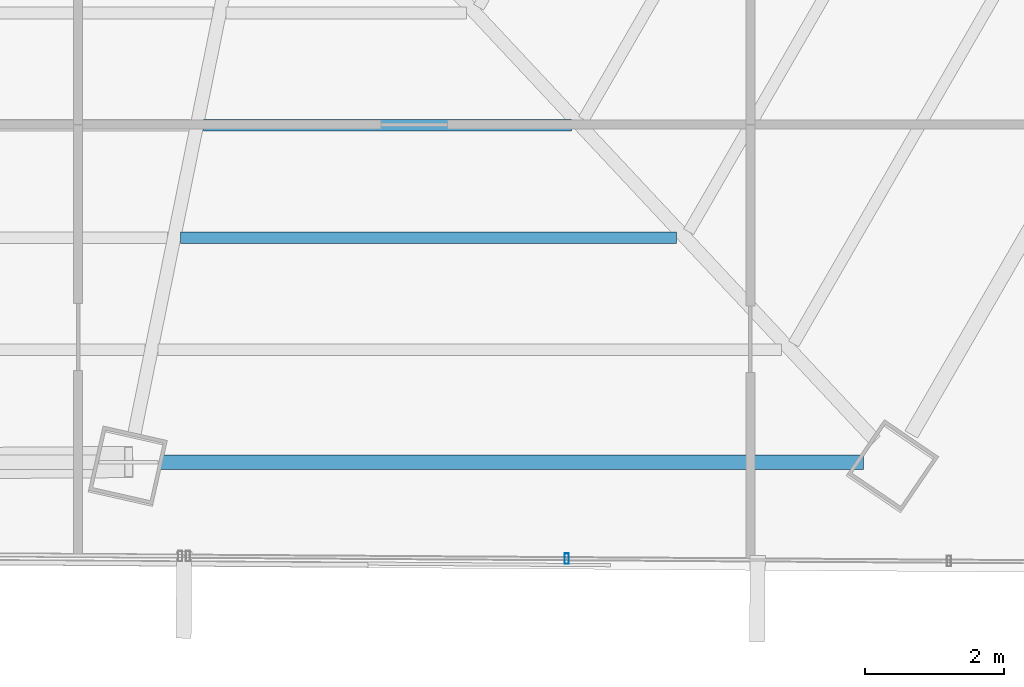
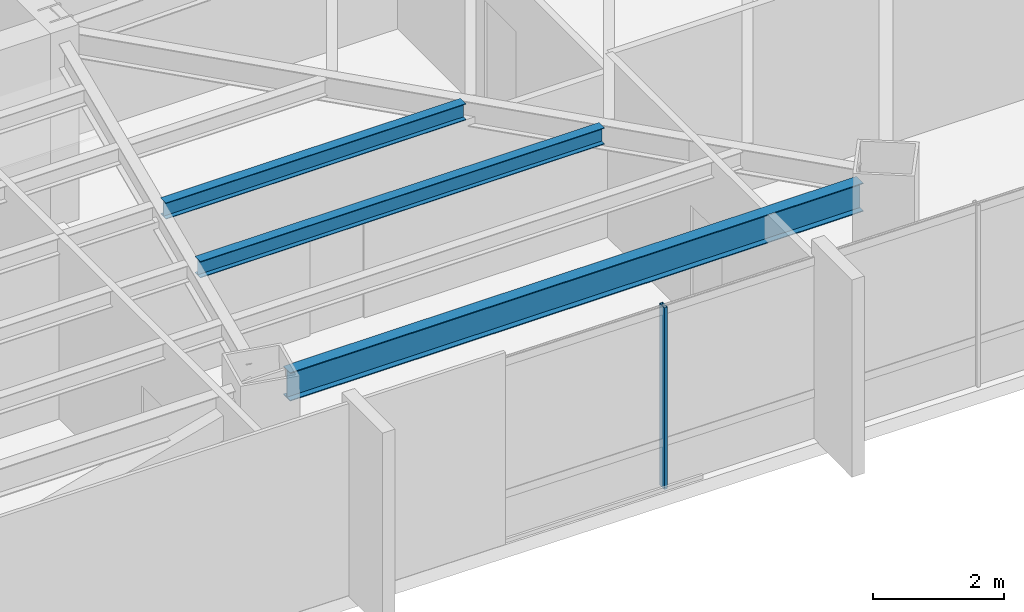
# One storey, part 17 of 41: 3 beams, 1 member, 1 element without a shape of its own.
"""IFC4 building model written with IfcOpenShell, lengths in metres."""

from ifc_helpers import new_model, si_unit, direction, frame, origin, origin_2d, place, context, subcontext, project, spatial, hollow_rectangle, i_section, extrude, source, transform, mapped, material, material_profile, profile_set, type_object, type_shapes, element, aggregate, save


model = new_model("IFC4")

# Units and contexts
model_context = context("Model", 3, precision=1e-05, world=origin(), true_north=direction((0.0, 1.0)))
body_context = subcontext(model_context, "Body", "Model", "MODEL_VIEW")
ifc_project = project(units=[si_unit("LENGTHUNIT", "METRE"), si_unit("AREAUNIT", "SQUARE_METRE"), si_unit("VOLUMEUNIT", "CUBIC_METRE"), si_unit("PLANEANGLEUNIT", "RADIAN"), si_unit("MASSUNIT", "GRAM", prefix="KILO")], contexts=[model_context])

# Site, building, storey
site_placement = place(None, origin())
site = spatial("IfcSite", under=ifc_project, at=site_placement, CompositionType="ELEMENT")
building_placement = place(site_placement, origin())
building = spatial("IfcBuilding", under=site, at=building_placement, Name="Caelisora Broadcast Tower", CompositionType="ELEMENT")
storey_placement = place(building_placement, frame((0.0, 0.0, 169.449951171875)))
storey = spatial("IfcBuildingStorey", under=building, at=storey_placement, Name="L44", CompositionType="ELEMENT", Elevation=169.449951171875)

# Beams
ifc_material_1 = material(Name="Steel Grade 350 (AS/NZS 3679.1)", Category="steel")
ifc_material_profile_1 = material_profile(ifc_material_1, i_section(OverallWidth=0.208984375, OverallDepth=0.532958984375, WebThickness=0.01025390625, FlangeThickness=0.015625, at=origin_2d()), Name="Steel Grade 350 (AS/NZS 3679.1)")
ifc_profile_set_1 = profile_set([ifc_material_profile_1], Name="Steel Grade 350 (AS/NZS 3679.1)")
beam_type_1 = type_object("IfcBeamType", Name="PG05", PredefinedType="BEAM", material=ifc_profile_set_1)
shared_shape_1 = source(origin(), body_context, "Body", "SweptSolid", [
    extrude(i_section(OverallWidth=0.208984375, OverallDepth=0.532958984375, WebThickness=0.01025390625, FlangeThickness=0.015625, at=origin_2d()), origin(), (0.0, 0.0, 1.0), 10.141357421875),
])
type_shapes(beam_type_1, [shared_shape_1])
beam_1_placement = place(storey_placement, frame((43.99072265625, 7.681884765625, 3.133544921875), z_axis=(1.0, 0.0, 0.0), x_axis=(0.0, 1.0, 0.0)))
element("IfcBeam", 1, at=beam_1_placement, inside=storey, type_object=beam_type_1, Name="L44 beam PG05", PredefinedType="BEAM", context=body_context, shape_type="MappedRepresentation", body=[
    mapped(shared_shape_1, transform((0.0, 0.0, 0.0), scale=1.0)),
])
ifc_material_profile_2 = material_profile(ifc_material_1, i_section(OverallWidth=0.166015625, OverallDepth=0.30712890625, WebThickness=0.006591796875, FlangeThickness=0.01171875, at=origin_2d()), Name="Steel Grade 350 (AS/NZS 3679.1)")
ifc_profile_set_2 = profile_set([ifc_material_profile_2], Name="Steel Grade 350 (AS/NZS 3679.1)")
beam_type_2 = type_object("IfcBeamType", Name="SB03", PredefinedType="JOIST", material=ifc_profile_set_2)
shared_shape_2 = source(origin(), body_context, "Body", "SweptSolid", [
    extrude(i_section(OverallWidth=0.166015625, OverallDepth=0.30712890625, WebThickness=0.006591796875, FlangeThickness=0.01171875, at=origin_2d()), origin(), (0.0, 0.0, 1.0), 7.152099609375),
])
beam_2_placement = place(storey_placement, frame((44.281494140625, 10.92138671875, 3.246337890625), z_axis=(1.0, 0.0, 0.0), x_axis=(0.0, 1.0, 0.0)))
element("IfcBeam", 2, at=beam_2_placement, inside=storey, type_object=beam_type_2, Name="L44 beam SB03", PredefinedType="JOIST", context=body_context, shape_type="MappedRepresentation", body=[
    mapped(shared_shape_2, transform((0.0, 0.0, 0.0), scale=1.0)),
])
shared_shape_3 = source(origin(), body_context, "Body", "SweptSolid", [
    extrude(i_section(OverallWidth=0.166015625, OverallDepth=0.30712890625, WebThickness=0.006591796875, FlangeThickness=0.01171875, at=origin_2d()), origin(), (0.0, 0.0, 1.0), 5.30859375),
])
type_shapes(beam_type_2, [shared_shape_2, shared_shape_3])
beam_3_placement = place(storey_placement, frame((44.609619140625, 12.541015625, 3.246337890625), z_axis=(1.0, 0.0, 0.0), x_axis=(0.0, 1.0, 0.0)))
element("IfcBeam", 3, at=beam_3_placement, inside=storey, type_object=beam_type_2, Name="L44 beam SB03", PredefinedType="JOIST", context=body_context, shape_type="MappedRepresentation", body=[
    mapped(shared_shape_3, transform((0.0, 0.0, 0.0), scale=1.0)),
])

# Curtain wall, member
ifc_material_2 = material(Name="Unitised Aluminium and Low-E Glass Curtain Wall", Category="glass")
curtain_wall_type = type_object("IfcCurtainWallType", Name="CW-Z3", PredefinedType="NOTDEFINED", material=ifc_material_2)
curtain_wall_placement = place(storey_placement, origin())
curtain_wall = element("IfcCurtainWall", 4, at=curtain_wall_placement, inside=storey, type_object=curtain_wall_type, Name="L44 curtain wall CW-Z3", PredefinedType="NOTDEFINED")
ifc_material_3 = material(Name="Aluminium 6063-T6 Anodised Terracotta Bronze", Category="aluminium")
ifc_material_profile_3 = material_profile(ifc_material_3, hollow_rectangle(XDim=0.06005859375, YDim=0.14990234375, WallThickness=0.00341796875, at=origin_2d()), Name="Aluminium 6063-T6 Anodised Terracotta Bronze")
ifc_profile_set_3 = profile_set([ifc_material_profile_3], Name="Aluminium 6063-T6 Anodised Terracotta Bronze")
member_type = type_object("IfcMemberType", Name="CWM-03", PredefinedType="MULLION", material=ifc_profile_set_3)
shared_shape_4 = source(origin(), body_context, "Body", "SweptSolid", [
    extrude(hollow_rectangle(XDim=0.06005859375, YDim=0.14990234375, WallThickness=0.00341796875, at=origin_2d()), origin(), (0.0, 0.0, 1.0), 3.400146484375),
])
type_shapes(member_type, [shared_shape_4])
member_placement = place(storey_placement, frame((49.850830078125, 6.28759765625, 0.0), z_axis=(0.0, 0.0, 1.0), x_axis=(1.0, 0.0, 0.0)))
member = element("IfcMember", 5, at=member_placement, type_object=member_type, Name="L44-CW-B05 mullion #2", PredefinedType="MULLION", context=body_context, shape_type="MappedRepresentation", body=[
    mapped(shared_shape_4, transform((0.0, 0.0, 0.0), scale=1.0)),
])
aggregate(curtain_wall, [member])

save(model, "model.ifc")
